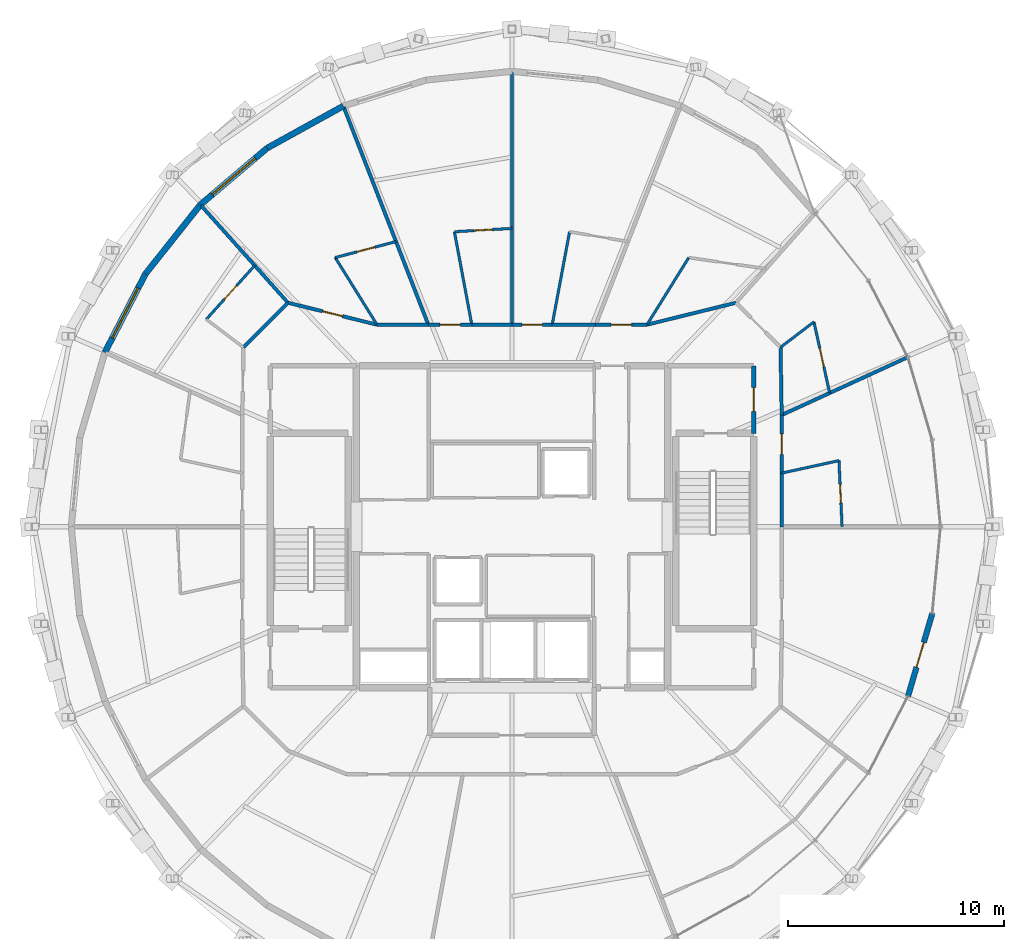
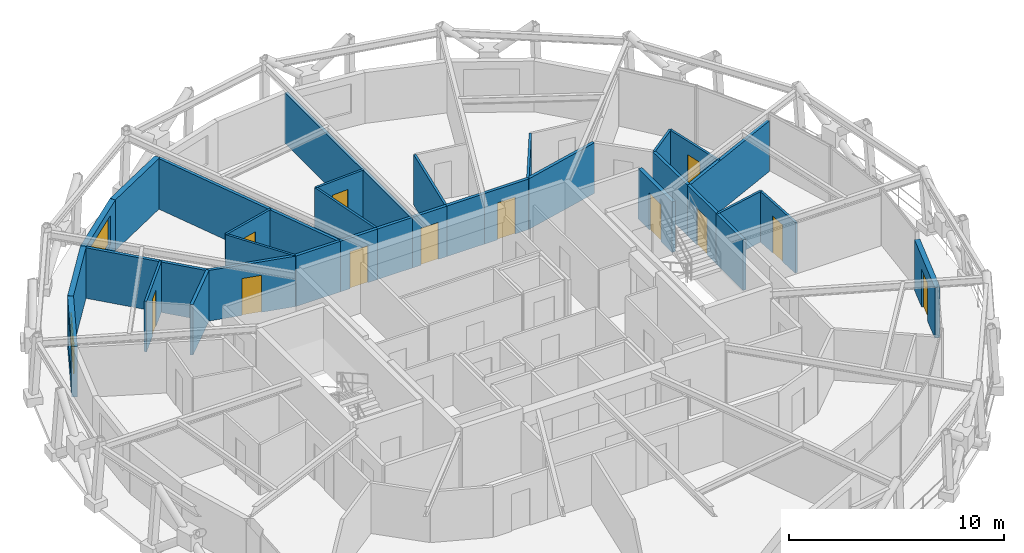
# One storey, part 13 of 15: 33 walls, 12 doors, 2 windows, 14 openings.
"""IFC4 building model written with IfcOpenShell, lengths in metres."""

from ifc_helpers import new_model, si_unit, direction, frame, frame_2d, origin, place, context, subcontext, project, spatial, rectangle, extrude, material, layer, layer_set, type_object, element, fill, save


model = new_model("IFC4")

# Units and contexts
model_context = context("Model", 3, precision=1e-05, world=origin(), true_north=direction((0.0, 1.0)))
body_context = subcontext(model_context, "Body", "Model", "MODEL_VIEW")
ifc_project = project(units=[si_unit("LENGTHUNIT", "METRE"), si_unit("AREAUNIT", "SQUARE_METRE"), si_unit("VOLUMEUNIT", "CUBIC_METRE"), si_unit("PLANEANGLEUNIT", "RADIAN"), si_unit("MASSUNIT", "GRAM", prefix="KILO")], contexts=[model_context])

# Site, building, storey
site_placement = place(None, origin())
site = spatial("IfcSite", under=ifc_project, at=site_placement, CompositionType="ELEMENT")
building_placement = place(site_placement, origin())
building = spatial("IfcBuilding", under=site, at=building_placement, Name="Veldorina Hangang Commons", CompositionType="ELEMENT")
storey_placement = place(building_placement, frame((0.0, 0.0, 258.0)))
storey = spatial("IfcBuildingStorey", under=building, at=storey_placement, Name="L67", CompositionType="ELEMENT", Elevation=258.0)

# Wall, opening, door
ifc_material_1 = material(Name="Stone Roman Travertine", Category="masonry")
ifc_layer_1 = layer(ifc_material_1, 0.260009765625)
ifc_layer_set_1 = layer_set([ifc_layer_1], Name="Stone Roman Travertine")
wall_type_1 = type_object("IfcWallType", Name="EW-LOGGIA-260", PredefinedType="STANDARD", material=ifc_layer_set_1)
wall_1_placement = place(storey_placement, frame((50.322998046875, 16.14990234375, 0.0), z_axis=(0.0, 0.0, 1.0), x_axis=(0.281444418765, 0.959577531597, 0.0)))
wall_1 = element("IfcWall", 1, at=wall_1_placement, inside=storey, type_object=wall_type_1, Name="L67 sky-garden loggia portal wall 30", PredefinedType="STANDARD", context=body_context, shape_type="SweptSolid", body=[
    extrude(rectangle(XDim=4.01025390625, YDim=0.260009765625, at=frame_2d((2.005126953125, 0.0))), origin(), (0.0, 0.0, 1.0), 2.8798828125),
])
opening_1_placement = place(wall_1_placement, frame((1.405029296875, 0.0, 0.0)))
opening_1 = element("IfcOpeningElement", 2, at=opening_1_placement, cuts=wall_1, Name="Opening BD-1200", PredefinedType="OPENING", context=body_context, shape_type="SweptSolid", body=[
    extrude(rectangle(XDim=1.199951171875, YDim=2.14990234375, at=frame_2d((0.60009765625, 1.074951171875))), frame((0.0, 0.14013671875, 0.0), z_axis=(0.0, -1.0, 0.0), x_axis=(1.0, 0.0, 0.0)), (0.0, 0.0, 1.0), 0.280029296875),
])
ifc_material_2 = material(Name="Glass Thermal Aluminium Frame", Category="aluminium")
door_type_1 = type_object("IfcDoorType", Name="DR-EXT-LOG1200", OperationType="SINGLE_SWING_LEFT", PredefinedType="DOOR", material=ifc_material_2)
door_1_placement = place(opening_1_placement, origin())
door_1 = element("IfcDoor", 3, at=door_1_placement, inside=storey, type_object=door_type_1, Name="L67 loggia glazed exterior door 30", OperationType="SINGLE_SWING_LEFT", OverallHeight=2.14990234375, OverallWidth=1.199951171875, PredefinedType="DOOR", context=body_context, shape_type="SweptSolid", body=[
    extrude(rectangle(XDim=1.199951171875, YDim=2.14990234375, at=frame_2d((0.60009765625, 1.074951171875))), frame((0.0, 0.02490234375, 0.0), z_axis=(0.0, -1.0, 0.0), x_axis=(1.0, 0.0, 0.0)), (0.0, 0.0, 1.0), 0.050048828125),
])
fill(opening_1, door_1)

# Wall
ifc_layer_2 = layer(ifc_material_1, 0.280029296875)
ifc_layer_set_2 = layer_set([ifc_layer_2], Name="Stone Roman Travertine")
wall_type_2 = type_object("IfcWallType", Name="EW-TRAV-280", PredefinedType="STANDARD", material=ifc_layer_set_2)
wall_2_placement = place(storey_placement, frame((24.196044921875, 43.46923828125, 0.0), z_axis=(0.0, 0.0, 1.0), x_axis=(-0.875332682679, -0.483521141869, 0.0)))
element("IfcWall", 4, at=wall_2_placement, inside=storey, type_object=wall_type_2, Name="L67 travertine facade wall 10", PredefinedType="STANDARD", context=body_context, shape_type="SweptSolid", body=[
    extrude(rectangle(XDim=4.02783203125, YDim=0.280029296875, at=frame_2d((2.013916015625, 0.0))), origin(), (0.0, 0.0, 1.0), 2.8798828125),
])

# Wall, opening, window
wall_3_placement = place(storey_placement, frame((20.67041015625, 41.521728515625, 0.0), z_axis=(0.0, 0.0, 1.0), x_axis=(-0.762691056528, -0.646762979995, 0.0)))
wall_3 = element("IfcWall", 5, at=wall_3_placement, inside=storey, type_object=wall_type_2, Name="L67 travertine facade wall 11", PredefinedType="STANDARD", context=body_context, shape_type="SweptSolid", body=[
    extrude(rectangle(XDim=4.0517578125, YDim=0.280029296875, at=frame_2d((2.02587890625, 0.0))), origin(), (0.0, 0.0, 1.0), 2.8798828125),
])
opening_2_placement = place(wall_3_placement, frame((0.72607421875, 0.0, 0.800048828125)))
opening_2 = element("IfcOpeningElement", 6, at=opening_2_placement, cuts=wall_3, Name="Opening W-02", PredefinedType="OPENING", context=body_context, shape_type="SweptSolid", body=[
    extrude(rectangle(XDim=2.60009765625, YDim=1.64990234375, at=frame_2d((1.300048828125, 0.824951171875))), frame((0.0, 0.14990234375, 0.0), z_axis=(0.0, -1.0, 0.0), x_axis=(1.0, 0.0, 0.0)), (0.0, 0.0, 1.0), 0.300048828125),
])
ifc_material_3 = material(Name="Glass Low-E Triple IGU", Category="glass")
window_type = type_object("IfcWindowType", Name="WIN-TWR-2600", PartitioningType="SINGLE_PANEL", PredefinedType="WINDOW", material=ifc_material_3)
window_1_placement = place(opening_2_placement, origin())
window_1 = element("IfcWindow", 7, at=window_1_placement, inside=storey, type_object=window_type, Name="L67 facade window 11", OverallHeight=1.64990234375, OverallWidth=2.60009765625, PartitioningType="SINGLE_PANEL", PredefinedType="WINDOW", context=body_context, shape_type="SweptSolid", body=[
    extrude(rectangle(XDim=2.60009765625, YDim=1.64990234375, at=frame_2d((1.300048828125, 0.824951171875))), frame((0.0, 0.030029296875, 0.0), z_axis=(0.0, -1.0, 0.0), x_axis=(1.0, 0.0, 0.0)), (0.0, 0.0, 1.0), 0.06005859375),
])
fill(opening_2, window_1)

# Wall
wall_4_placement = place(storey_placement, frame((17.580078125, 38.901123046875, 0.0), z_axis=(0.0, 0.0, 1.0), x_axis=(-0.621916698547, -0.783083405563, 0.0)))
element("IfcWall", 8, at=wall_4_placement, inside=storey, type_object=wall_type_2, Name="L67 travertine facade wall 12", PredefinedType="STANDARD", context=body_context, shape_type="SweptSolid", body=[
    extrude(rectangle(XDim=4.077880859375, YDim=0.280029296875, at=frame_2d((2.0390625, 0.0))), origin(), (0.0, 0.0, 1.0), 2.8798828125),
])

# Wall, opening, window
wall_5_placement = place(storey_placement, frame((15.0439453125, 35.707763671875, 0.0), z_axis=(0.0, 0.0, 1.0), x_axis=(-0.459432634071, -0.888212617987, 0.0)))
wall_5 = element("IfcWall", 9, at=wall_5_placement, inside=storey, type_object=wall_type_2, Name="L67 travertine facade wall 13", PredefinedType="STANDARD", context=body_context, shape_type="SweptSolid", body=[
    extrude(rectangle(XDim=4.101806640625, YDim=0.280029296875, at=frame_2d((2.05078125, 0.0))), origin(), (0.0, 0.0, 1.0), 2.8798828125),
])
opening_3_placement = place(wall_5_placement, frame((0.7509765625, 0.0, 0.800048828125)))
opening_3 = element("IfcOpeningElement", 10, at=opening_3_placement, cuts=wall_5, Name="Opening W-02", PredefinedType="OPENING", context=body_context, shape_type="SweptSolid", body=[
    extrude(rectangle(XDim=2.60009765625, YDim=1.64990234375, at=frame_2d((1.300048828125, 0.824951171875))), frame((0.0, 0.14990234375, 0.0), z_axis=(0.0, -1.0, 0.0), x_axis=(1.0, 0.0, 0.0)), (0.0, 0.0, 1.0), 0.300048828125),
])
window_2_placement = place(opening_3_placement, origin())
window_2 = element("IfcWindow", 11, at=window_2_placement, inside=storey, type_object=window_type, Name="L67 facade window 13", OverallHeight=1.64990234375, OverallWidth=2.60009765625, PartitioningType="SINGLE_PANEL", PredefinedType="WINDOW", context=body_context, shape_type="SweptSolid", body=[
    extrude(rectangle(XDim=2.60009765625, YDim=1.64990234375, at=frame_2d((1.300048828125, 0.824951171875))), frame((0.0, 0.030029296875, 0.0), z_axis=(0.0, -1.0, 0.0), x_axis=(1.0, 0.0, 0.0)), (0.0, 0.0, 1.0), 0.06005859375),
])
fill(opening_3, window_2)

# Wall
ifc_material_4 = material(Name="Gypsum Fire-Rated Twin Stud Wall", Category="gypsum")
ifc_layer_3 = layer(ifc_material_4, 0.159912109375)
ifc_layer_set_3 = layer_set([ifc_layer_3], Name="Gypsum Fire-Rated Twin Stud Wall")
wall_type_3 = type_object("IfcWallType", Name="WL-FIRE-160", PredefinedType="SOLIDWALL", material=ifc_layer_set_3)
wall_6_placement = place(storey_placement, frame((44.47998046875, 24.0, 0.0), z_axis=(0.0, 0.0, 1.0), x_axis=(0.0, 1.0, 0.0)))
element("IfcWall", 12, at=wall_6_placement, inside=storey, type_object=wall_type_3, Name="L67 Compact collar outer wall 00 050", PredefinedType="SOLIDWALL", context=body_context, shape_type="SweptSolid", body=[
    extrude(rectangle(XDim=2.482421875, YDim=0.159912109375, at=frame_2d((1.2412109375, 0.0))), origin(), (0.0, 0.0, 1.0), 2.8701171875),
])

# Wall, opening, door
wall_7_placement = place(storey_placement, frame((44.47998046875, 26.482421875, 0.0), z_axis=(0.0, 0.0, 1.0), x_axis=(0.0, 1.0, 0.0)))
wall_7 = element("IfcWall", 13, at=wall_7_placement, inside=storey, type_object=wall_type_3, Name="L67 Compact collar outer wall 01 051", PredefinedType="SOLIDWALL", context=body_context, shape_type="SweptSolid", body=[
    extrude(rectangle(XDim=2.68701171875, YDim=0.159912109375, at=frame_2d((1.343505859375, 0.0))), origin(), (0.0, 0.0, 1.0), 2.8701171875),
])
opening_4_placement = place(wall_7_placement, frame((0.868408203125, 0.0, 0.0)))
opening_4 = element("IfcOpeningElement", 14, at=opening_4_placement, cuts=wall_7, Name="Opening D-03", PredefinedType="OPENING", context=body_context, shape_type="SweptSolid", body=[
    extrude(rectangle(XDim=0.949951171875, YDim=2.10009765625, at=frame_2d((0.47509765625, 1.050048828125))), frame((0.0, 0.08984375, 0.0), z_axis=(0.0, -1.0, 0.0), x_axis=(1.0, 0.0, 0.0)), (0.0, 0.0, 1.0), 0.179931640625),
])
ifc_material_5 = material(Name="Timber Fire-Rated Entrance Core", Category="wood")
door_type_2 = type_object("IfcDoorType", Name="DR-UNIT-950", OperationType="SINGLE_SWING_RIGHT", PredefinedType="DOOR", material=ifc_material_5)
door_2_placement = place(opening_4_placement, origin())
door_2 = element("IfcDoor", 15, at=door_2_placement, inside=storey, type_object=door_type_2, Name="L67 Studio 2 entrance door 020", OperationType="SINGLE_SWING_RIGHT", OverallHeight=2.10009765625, OverallWidth=0.949951171875, PredefinedType="DOOR", context=body_context, shape_type="SweptSolid", body=[
    extrude(rectangle(XDim=0.949951171875, YDim=2.10009765625, at=frame_2d((0.47509765625, 1.050048828125))), frame((0.0, 0.02490234375, 0.0), z_axis=(0.0, -1.0, 0.0), x_axis=(1.0, 0.0, 0.0)), (0.0, 0.0, 1.0), 0.050048828125),
])
fill(opening_4, door_2)

# Walls
wall_8_placement = place(storey_placement, frame((44.47998046875, 29.16943359375, 0.0), z_axis=(0.0, 0.0, 1.0), x_axis=(-0.016981035134, 0.999855811828, 0.0)))
element("IfcWall", 16, at=wall_8_placement, inside=storey, type_object=wall_type_3, Name="L67 Compact collar outer wall 02 052", PredefinedType="SOLIDWALL", context=body_context, shape_type="SweptSolid", body=[
    extrude(rectangle(XDim=3.13427734375, YDim=0.159912109375, at=frame_2d((1.567138671875, 0.0))), origin(), (0.0, 0.0, 1.0), 2.8701171875),
])
wall_9_placement = place(storey_placement, frame((42.364990234375, 34.364990234375, 0.0), z_axis=(0.0, 0.0, 1.0), x_axis=(-0.970939799552, -0.239323850978, 0.0)))
element("IfcWall", 17, at=wall_9_placement, inside=storey, type_object=wall_type_3, Name="L67 Compact collar outer wall 04 054", PredefinedType="SOLIDWALL", context=body_context, shape_type="SweptSolid", body=[
    extrude(rectangle(XDim=4.24072265625, YDim=0.159912109375, at=frame_2d((2.120361328125, 0.0))), origin(), (0.0, 0.0, 1.0), 2.8701171875),
])

# Wall, opening, door
wall_10_placement = place(storey_placement, frame((38.24755859375, 33.35009765625, 0.0), z_axis=(0.0, 0.0, 1.0), x_axis=(-1.0, 0.0, 0.0)))
wall_10 = element("IfcWall", 18, at=wall_10_placement, inside=storey, type_object=wall_type_3, Name="L67 Compact collar outer wall 05 055", PredefinedType="SOLIDWALL", context=body_context, shape_type="SweptSolid", body=[
    extrude(rectangle(XDim=2.374755859375, YDim=0.159912109375, at=frame_2d((1.1875, 0.0))), origin(), (0.0, 0.0, 1.0), 2.8701171875),
])
opening_5_placement = place(wall_10_placement, frame((0.71240234375, 0.0, 0.0)))
opening_5 = element("IfcOpeningElement", 19, at=opening_5_placement, cuts=wall_10, Name="Opening D-03", PredefinedType="OPENING", context=body_context, shape_type="SweptSolid", body=[
    extrude(rectangle(XDim=0.949951171875, YDim=2.10009765625, at=frame_2d((0.47509765625, 1.050048828125))), frame((0.0, 0.08984375, 0.0), z_axis=(0.0, -1.0, 0.0), x_axis=(1.0, 0.0, 0.0)), (0.0, 0.0, 1.0), 0.179931640625),
])
door_3_placement = place(opening_5_placement, origin())
door_3 = element("IfcDoor", 20, at=door_3_placement, inside=storey, type_object=door_type_2, Name="L67 Studio 4 entrance door 024", OperationType="SINGLE_SWING_RIGHT", OverallHeight=2.10009765625, OverallWidth=0.949951171875, PredefinedType="DOOR", context=body_context, shape_type="SweptSolid", body=[
    extrude(rectangle(XDim=0.949951171875, YDim=2.10009765625, at=frame_2d((0.47509765625, 1.050048828125))), frame((0.0, 0.02490234375, 0.0), z_axis=(0.0, -1.0, 0.0), x_axis=(1.0, 0.0, 0.0)), (0.0, 0.0, 1.0), 0.050048828125),
])
fill(opening_5, door_3)

# Wall
wall_11_placement = place(storey_placement, frame((35.872802734375, 33.35009765625, 0.0), z_axis=(0.0, 0.0, 1.0), x_axis=(-1.0, 0.0, 0.0)))
element("IfcWall", 21, at=wall_11_placement, inside=storey, type_object=wall_type_3, Name="L67 Compact collar outer wall 06 056", PredefinedType="SOLIDWALL", context=body_context, shape_type="SweptSolid", body=[
    extrude(rectangle(XDim=2.012939453125, YDim=0.159912109375, at=frame_2d((1.00634765625, 0.0))), origin(), (0.0, 0.0, 1.0), 2.8701171875),
])

# Wall, opening, door
wall_12_placement = place(storey_placement, frame((33.85986328125, 33.35009765625, 0.0), z_axis=(0.0, 0.0, 1.0), x_axis=(-1.0, 0.0, 0.0)))
wall_12 = element("IfcWall", 22, at=wall_12_placement, inside=storey, type_object=wall_type_3, Name="L67 Compact collar outer wall 07 057", PredefinedType="SOLIDWALL", context=body_context, shape_type="SweptSolid", body=[
    extrude(rectangle(XDim=1.85986328125, YDim=0.159912109375, at=frame_2d((0.929931640625, 0.0))), origin(), (0.0, 0.0, 1.0), 2.8701171875),
])
opening_6_placement = place(wall_12_placement, frame((0.454833984375, 0.0, 0.0)))
opening_6 = element("IfcOpeningElement", 23, at=opening_6_placement, cuts=wall_12, Name="Opening D-03", PredefinedType="OPENING", context=body_context, shape_type="SweptSolid", body=[
    extrude(rectangle(XDim=0.949951171875, YDim=2.10009765625, at=frame_2d((0.47509765625, 1.050048828125))), frame((0.0, 0.08984375, 0.0), z_axis=(0.0, -1.0, 0.0), x_axis=(1.0, 0.0, 0.0)), (0.0, 0.0, 1.0), 0.179931640625),
])
door_4_placement = place(opening_6_placement, origin())
door_4 = element("IfcDoor", 24, at=door_4_placement, inside=storey, type_object=door_type_2, Name="L67 Studio 5 entrance door 026", OperationType="SINGLE_SWING_RIGHT", OverallHeight=2.10009765625, OverallWidth=0.949951171875, PredefinedType="DOOR", context=body_context, shape_type="SweptSolid", body=[
    extrude(rectangle(XDim=0.949951171875, YDim=2.10009765625, at=frame_2d((0.47509765625, 1.050048828125))), frame((0.0, 0.02490234375, 0.0), z_axis=(0.0, -1.0, 0.0), x_axis=(1.0, 0.0, 0.0)), (0.0, 0.0, 1.0), 0.050048828125),
])
fill(opening_6, door_4)

# Wall
wall_13_placement = place(storey_placement, frame((32.0, 33.35009765625, 0.0), z_axis=(0.0, 0.0, 1.0), x_axis=(-1.0, 0.0, 0.0)))
element("IfcWall", 25, at=wall_13_placement, inside=storey, type_object=wall_type_3, Name="L67 Compact collar outer wall 08 058", PredefinedType="SOLIDWALL", context=body_context, shape_type="SweptSolid", body=[
    extrude(rectangle(XDim=1.85986328125, YDim=0.159912109375, at=frame_2d((0.929931640625, 0.0))), origin(), (0.0, 0.0, 1.0), 2.8701171875),
])

# Wall, opening, door
wall_14_placement = place(storey_placement, frame((30.14013671875, 33.35009765625, 0.0), z_axis=(0.0, 0.0, 1.0), x_axis=(-1.0, 0.0, 0.0)))
wall_14 = element("IfcWall", 26, at=wall_14_placement, inside=storey, type_object=wall_type_3, Name="L67 Compact collar outer wall 09 059", PredefinedType="SOLIDWALL", context=body_context, shape_type="SweptSolid", body=[
    extrude(rectangle(XDim=2.012939453125, YDim=0.159912109375, at=frame_2d((1.00634765625, 0.0))), origin(), (0.0, 0.0, 1.0), 2.8701171875),
])
opening_7_placement = place(wall_14_placement, frame((0.531494140625, 0.0, 0.0)))
opening_7 = element("IfcOpeningElement", 27, at=opening_7_placement, cuts=wall_14, Name="Opening D-03", PredefinedType="OPENING", context=body_context, shape_type="SweptSolid", body=[
    extrude(rectangle(XDim=0.949951171875, YDim=2.10009765625, at=frame_2d((0.47509765625, 1.050048828125))), frame((0.0, 0.08984375, 0.0), z_axis=(0.0, -1.0, 0.0), x_axis=(1.0, 0.0, 0.0)), (0.0, 0.0, 1.0), 0.179931640625),
])
door_5_placement = place(opening_7_placement, origin())
door_5 = element("IfcDoor", 28, at=door_5_placement, inside=storey, type_object=door_type_2, Name="L67 Studio 6 entrance door 028", OperationType="SINGLE_SWING_RIGHT", OverallHeight=2.10009765625, OverallWidth=0.949951171875, PredefinedType="DOOR", context=body_context, shape_type="SweptSolid", body=[
    extrude(rectangle(XDim=0.949951171875, YDim=2.10009765625, at=frame_2d((0.47509765625, 1.050048828125))), frame((0.0, 0.02490234375, 0.0), z_axis=(0.0, -1.0, 0.0), x_axis=(1.0, 0.0, 0.0)), (0.0, 0.0, 1.0), 0.050048828125),
])
fill(opening_7, door_5)

# Wall
wall_15_placement = place(storey_placement, frame((28.127197265625, 33.35009765625, 0.0), z_axis=(0.0, 0.0, 1.0), x_axis=(-1.0, 0.0, 0.0)))
element("IfcWall", 29, at=wall_15_placement, inside=storey, type_object=wall_type_3, Name="L67 Compact collar outer wall 10 060", PredefinedType="SOLIDWALL", context=body_context, shape_type="SweptSolid", body=[
    extrude(rectangle(XDim=2.374755859375, YDim=0.159912109375, at=frame_2d((1.1875, 0.0))), origin(), (0.0, 0.0, 1.0), 2.8701171875),
])

# Wall, opening, door
wall_16_placement = place(storey_placement, frame((25.75244140625, 33.35009765625, 0.0), z_axis=(0.0, 0.0, 1.0), x_axis=(-0.970939799552, 0.239323850978, 0.0)))
wall_16 = element("IfcWall", 30, at=wall_16_placement, inside=storey, type_object=wall_type_3, Name="L67 Compact collar outer wall 11 061", PredefinedType="SOLIDWALL", context=body_context, shape_type="SweptSolid", body=[
    extrude(rectangle(XDim=4.24072265625, YDim=0.159912109375, at=frame_2d((2.120361328125, 0.0))), origin(), (0.0, 0.0, 1.0), 2.8701171875),
])
opening_8_placement = place(wall_16_placement, frame((1.6455078125, 0.0, 0.0)))
opening_8 = element("IfcOpeningElement", 31, at=opening_8_placement, cuts=wall_16, Name="Opening D-03", PredefinedType="OPENING", context=body_context, shape_type="SweptSolid", body=[
    extrude(rectangle(XDim=0.949951171875, YDim=2.10009765625, at=frame_2d((0.47509765625, 1.050048828125))), frame((0.0, 0.08984375, 0.0), z_axis=(0.0, -1.0, 0.0), x_axis=(1.0, 0.0, 0.0)), (0.0, 0.0, 1.0), 0.179931640625),
])
door_6_placement = place(opening_8_placement, origin())
door_6 = element("IfcDoor", 32, at=door_6_placement, inside=storey, type_object=door_type_2, Name="L67 Studio 7 entrance door 030", OperationType="SINGLE_SWING_RIGHT", OverallHeight=2.10009765625, OverallWidth=0.949951171875, PredefinedType="DOOR", context=body_context, shape_type="SweptSolid", body=[
    extrude(rectangle(XDim=0.949951171875, YDim=2.10009765625, at=frame_2d((0.47509765625, 1.050048828125))), frame((0.0, 0.02490234375, 0.0), z_axis=(0.0, -1.0, 0.0), x_axis=(1.0, 0.0, 0.0)), (0.0, 0.0, 1.0), 0.050048828125),
])
fill(opening_8, door_6)

# Walls
wall_17_placement = place(storey_placement, frame((21.635009765625, 34.364990234375, 0.0), z_axis=(0.0, 0.0, 1.0), x_axis=(-0.707106781187, -0.707106781187, 0.0)))
element("IfcWall", 33, at=wall_17_placement, inside=storey, type_object=wall_type_3, Name="L67 Compact collar outer wall 12 062", PredefinedType="SOLIDWALL", context=body_context, shape_type="SweptSolid", body=[
    extrude(rectangle(XDim=2.915771484375, YDim=0.159912109375, at=frame_2d((1.4580078125, 0.0))), origin(), (0.0, 0.0, 1.0), 2.8701171875),
])
wall_18_placement = place(storey_placement, frame((44.47998046875, 29.16943359375, 0.0), z_axis=(0.0, 0.0, 1.0), x_axis=(0.908905892695, 0.417001292833, 0.0)))
element("IfcWall", 34, at=wall_18_placement, inside=storey, type_object=wall_type_3, Name="L67 Unit party wall 02 086", PredefinedType="SOLIDWALL", context=body_context, shape_type="SweptSolid", body=[
    extrude(rectangle(XDim=6.378662109375, YDim=0.159912109375, at=frame_2d((3.189453125, 0.0))), origin(), (0.0, 0.0, 1.0), 2.8701171875),
])
wall_19_placement = place(storey_placement, frame((32.0, 33.35009765625, 0.0), z_axis=(0.0, 0.0, 1.0), x_axis=(0.0, 1.0, 0.0)))
element("IfcWall", 35, at=wall_19_placement, inside=storey, type_object=wall_type_3, Name="L67 Unit party wall 08 095", PredefinedType="SOLIDWALL", context=body_context, shape_type="SweptSolid", body=[
    extrude(rectangle(XDim=11.673095703125, YDim=0.159912109375, at=frame_2d((5.83642578125, 0.0))), origin(), (0.0, 0.0, 1.0), 2.8701171875),
])
wall_20_placement = place(storey_placement, frame((28.127197265625, 33.35009765625, 0.0), z_axis=(0.0, 0.0, 1.0), x_axis=(-0.362124603768, 0.932129696634, 0.0)))
element("IfcWall", 36, at=wall_20_placement, inside=storey, type_object=wall_type_3, Name="L67 Unit party wall 10 098", PredefinedType="SOLIDWALL", context=body_context, shape_type="SweptSolid", body=[
    extrude(rectangle(XDim=10.805908203125, YDim=0.159912109375, at=frame_2d((5.40283203125, 0.0))), origin(), (0.0, 0.0, 1.0), 2.8701171875),
])
wall_21_placement = place(storey_placement, frame((21.635009765625, 34.364990234375, 0.0), z_axis=(0.0, 0.0, 1.0), x_axis=(-0.666473121036, 0.745529059754, 0.0)))
element("IfcWall", 37, at=wall_21_placement, inside=storey, type_object=wall_type_3, Name="L67 Unit party wall 12 101", PredefinedType="SOLIDWALL", context=body_context, shape_type="SweptSolid", body=[
    extrude(rectangle(XDim=6.034423828125, YDim=0.159912109375, at=frame_2d((3.01708984375, 0.0))), origin(), (0.0, 0.0, 1.0), 2.8701171875),
])

# Wall, opening, door
ifc_material_6 = material(Name="Concrete Blockwork Fire Wall C30/37", Category="masonry")
ifc_layer_4 = layer(ifc_material_6, 0.199951171875)
ifc_layer_set_4 = layer_set([ifc_layer_4], Name="Concrete Blockwork Fire Wall C30/37")
wall_type_4 = type_object("IfcWallType", Name="WL-FIRE-200", PredefinedType="SOLIDWALL", material=ifc_layer_set_4)
wall_22_placement = place(storey_placement, frame((43.179931640625, 28.320068359375, 0.0), z_axis=(0.0, 0.0, 1.0), x_axis=(0.0, 1.0, 0.0)))
wall_22 = element("IfcWall", 38, at=wall_22_placement, inside=storey, type_object=wall_type_4, Name="L67 East vestibule outer wall 003", PredefinedType="SOLIDWALL", context=body_context, shape_type="SweptSolid", body=[
    extrude(rectangle(XDim=3.1298828125, YDim=0.199951171875, at=frame_2d((1.56494140625, 0.0))), origin(), (0.0, 0.0, 1.0), 2.8701171875),
])
opening_9_placement = place(wall_22_placement, frame((1.014892578125, 0.0, 0.0)))
opening_9 = element("IfcOpeningElement", 39, at=opening_9_placement, cuts=wall_22, Name="Opening D-08", PredefinedType="OPENING", context=body_context, shape_type="SweptSolid", body=[
    extrude(rectangle(XDim=1.10009765625, YDim=2.10009765625, at=frame_2d((0.550048828125, 1.050048828125))), frame((0.0, 0.10986328125, 0.0), z_axis=(0.0, -1.0, 0.0), x_axis=(1.0, 0.0, 0.0)), (0.0, 0.0, 1.0), 0.219970703125),
])
ifc_material_7 = material(Name="Steel Fire-Rated Smoke Seal", Category="steel")
door_type_3 = type_object("IfcDoorType", Name="DR-FIRE-1100", OperationType="SINGLE_SWING_RIGHT", PredefinedType="DOOR", material=ifc_material_7)
door_7_placement = place(opening_9_placement, origin())
door_7 = element("IfcDoor", 40, at=door_7_placement, inside=storey, type_object=door_type_3, Name="L67 East vestibule east door 002", OperationType="SINGLE_SWING_RIGHT", OverallHeight=2.10009765625, OverallWidth=1.10009765625, PredefinedType="DOOR", context=body_context, shape_type="SweptSolid", body=[
    extrude(rectangle(XDim=1.10009765625, YDim=2.10009765625, at=frame_2d((0.550048828125, 1.050048828125))), frame((0.0, 0.02490234375, 0.0), z_axis=(0.0, -1.0, 0.0), x_axis=(1.0, 0.0, 0.0)), (0.0, 0.0, 1.0), 0.050048828125),
])
fill(opening_9, door_7)

ifc_material_8 = material(Name="Gypsum Acoustic Stud Partition", Category="gypsum")
ifc_layer_5 = layer(ifc_material_8, 0.1201171875)
ifc_layer_set_5 = layer_set([ifc_layer_5], Name="Gypsum Acoustic Stud Partition")
wall_type_5 = type_object("IfcWallType", Name="WL-PART-120", PredefinedType="PARTITIONING", material=ifc_layer_set_5)
wall_23_placement = place(storey_placement, frame((47.274169921875, 24.0, 0.0), z_axis=(0.0, 0.0, 1.0), x_axis=(-0.047341736084, 0.998878751413, 0.0)))
wall_23 = element("IfcWall", 41, at=wall_23_placement, inside=storey, type_object=wall_type_5, Name="L67 Studio 2 bath front wall 084", PredefinedType="PARTITIONING", context=body_context, shape_type="SweptSolid", body=[
    extrude(rectangle(XDim=3.063232421875, YDim=0.1201171875, at=frame_2d((1.53173828125, 0.0))), origin(), (0.0, 0.0, 1.0), 2.8701171875),
])
opening_10_placement = place(wall_23_placement, frame((1.1015625, 0.0, 0.0)))
opening_10 = element("IfcOpeningElement", 42, at=opening_10_placement, cuts=wall_23, Name="Opening D-01", PredefinedType="OPENING", context=body_context, shape_type="SweptSolid", body=[
    extrude(rectangle(XDim=0.860107421875, YDim=2.10009765625, at=frame_2d((0.43017578125, 1.050048828125))), frame((0.0, 0.070068359375, 0.0), z_axis=(0.0, -1.0, 0.0), x_axis=(1.0, 0.0, 0.0)), (0.0, 0.0, 1.0), 0.14013671875),
])
ifc_material_9 = material(Name="Timber Moisture-Resistant Core", Category="wood")
door_type_4 = type_object("IfcDoorType", Name="DR-WET-860", OperationType="SINGLE_SWING_LEFT", PredefinedType="DOOR", material=ifc_material_9)
door_8_placement = place(opening_10_placement, origin())
door_8 = element("IfcDoor", 43, at=door_8_placement, inside=storey, type_object=door_type_4, Name="L67 Studio 2 bathroom door 019", OperationType="SINGLE_SWING_LEFT", OverallHeight=2.10009765625, OverallWidth=0.860107421875, PredefinedType="DOOR", context=body_context, shape_type="SweptSolid", body=[
    extrude(rectangle(XDim=0.860107421875, YDim=2.10009765625, at=frame_2d((0.43017578125, 1.050048828125))), frame((0.0, 0.02490234375, 0.0), z_axis=(0.0, -1.0, 0.0), x_axis=(1.0, 0.0, 0.0)), (0.0, 0.0, 1.0), 0.050048828125),
])
fill(opening_10, door_8)

# Wall
wall_24_placement = place(storey_placement, frame((44.47998046875, 26.482421875, 0.0), z_axis=(0.0, 0.0, 1.0), x_axis=(0.977062450347, 0.212952971622, 0.0)))
element("IfcWall", 44, at=wall_24_placement, inside=storey, type_object=wall_type_5, Name="L67 Studio 2 bath side wall 085", PredefinedType="PARTITIONING", context=body_context, shape_type="SweptSolid", body=[
    extrude(rectangle(XDim=2.71142578125, YDim=0.1201171875, at=frame_2d((1.355712890625, 0.0))), origin(), (0.0, 0.0, 1.0), 2.8701171875),
])

# Wall, opening, door
wall_25_placement = place(storey_placement, frame((46.700439453125, 30.18798828125, 0.0), z_axis=(0.0, 0.0, 1.0), x_axis=(-0.21642426277, 0.976299410265, 0.0)))
wall_25 = element("IfcWall", 45, at=wall_25_placement, inside=storey, type_object=wall_type_5, Name="L67 Studio 3 bath front wall 087", PredefinedType="PARTITIONING", context=body_context, shape_type="SweptSolid", body=[
    extrude(rectangle(XDim=3.37060546875, YDim=0.1201171875, at=frame_2d((1.685302734375, 0.0))), origin(), (0.0, 0.0, 1.0), 2.8701171875),
])
opening_11_placement = place(wall_25_placement, frame((1.25537109375, 0.0, 0.0)))
opening_11 = element("IfcOpeningElement", 46, at=opening_11_placement, cuts=wall_25, Name="Opening D-01", PredefinedType="OPENING", context=body_context, shape_type="SweptSolid", body=[
    extrude(rectangle(XDim=0.860107421875, YDim=2.10009765625, at=frame_2d((0.43017578125, 1.050048828125))), frame((0.0, 0.070068359375, 0.0), z_axis=(0.0, -1.0, 0.0), x_axis=(1.0, 0.0, 0.0)), (0.0, 0.0, 1.0), 0.14013671875),
])
door_9_placement = place(opening_11_placement, origin())
door_9 = element("IfcDoor", 47, at=door_9_placement, inside=storey, type_object=door_type_4, Name="L67 Studio 3 bathroom door 021", OperationType="SINGLE_SWING_LEFT", OverallHeight=2.10009765625, OverallWidth=0.860107421875, PredefinedType="DOOR", context=body_context, shape_type="SweptSolid", body=[
    extrude(rectangle(XDim=0.860107421875, YDim=2.10009765625, at=frame_2d((0.43017578125, 1.050048828125))), frame((0.0, 0.02490234375, 0.0), z_axis=(0.0, -1.0, 0.0), x_axis=(1.0, 0.0, 0.0)), (0.0, 0.0, 1.0), 0.050048828125),
])
fill(opening_11, door_9)

# Walls
wall_26_placement = place(storey_placement, frame((44.4267578125, 32.30322265625, 0.0), z_axis=(0.0, 0.0, 1.0), x_axis=(0.795677115772, 0.605720998015, 0.0)))
element("IfcWall", 48, at=wall_26_placement, inside=storey, type_object=wall_type_5, Name="L67 Studio 3 bath side wall 088", PredefinedType="PARTITIONING", context=body_context, shape_type="SweptSolid", body=[
    extrude(rectangle(XDim=1.940673828125, YDim=0.1201171875, at=frame_2d((0.97021484375, 0.0))), origin(), (0.0, 0.0, 1.0), 2.8701171875),
])
wall_27_placement = place(storey_placement, frame((38.24755859375, 33.35009765625, 0.0), z_axis=(0.0, 0.0, 1.0), x_axis=(0.528107212433, 0.849177703532, 0.0)))
element("IfcWall", 49, at=wall_27_placement, inside=storey, type_object=wall_type_5, Name="L67 Studio 4 bath side wall 091", PredefinedType="PARTITIONING", context=body_context, shape_type="SweptSolid", body=[
    extrude(rectangle(XDim=3.65673828125, YDim=0.1201171875, at=frame_2d((1.828369140625, 0.0))), origin(), (0.0, 0.0, 1.0), 2.8701171875),
])
wall_28_placement = place(storey_placement, frame((33.85986328125, 33.35009765625, 0.0), z_axis=(0.0, 0.0, 1.0), x_axis=(0.183965108809, 0.982932774273, 0.0)))
element("IfcWall", 50, at=wall_28_placement, inside=storey, type_object=wall_type_5, Name="L67 Studio 5 bath side wall 094", PredefinedType="PARTITIONING", context=body_context, shape_type="SweptSolid", body=[
    extrude(rectangle(XDim=4.37548828125, YDim=0.1201171875, at=frame_2d((2.187744140625, 0.0))), origin(), (0.0, 0.0, 1.0), 2.8701171875),
])

# Wall, opening, door
wall_29_placement = place(storey_placement, frame((32.0, 37.804931640625, 0.0), z_axis=(0.0, 0.0, 1.0), x_axis=(-0.998333158382, -0.057713992024, 0.0)))
wall_29 = element("IfcWall", 51, at=wall_29_placement, inside=storey, type_object=wall_type_5, Name="L67 Studio 6 bath front wall 096", PredefinedType="PARTITIONING", context=body_context, shape_type="SweptSolid", body=[
    extrude(rectangle(XDim=2.669189453125, YDim=0.1201171875, at=frame_2d((1.33447265625, 0.0))), origin(), (0.0, 0.0, 1.0), 2.8701171875),
])
opening_12_placement = place(wall_29_placement, frame((0.904541015625, 0.0, 0.0)))
opening_12 = element("IfcOpeningElement", 52, at=opening_12_placement, cuts=wall_29, Name="Opening D-01", PredefinedType="OPENING", context=body_context, shape_type="SweptSolid", body=[
    extrude(rectangle(XDim=0.860107421875, YDim=2.10009765625, at=frame_2d((0.43017578125, 1.050048828125))), frame((0.0, 0.070068359375, 0.0), z_axis=(0.0, -1.0, 0.0), x_axis=(1.0, 0.0, 0.0)), (0.0, 0.0, 1.0), 0.14013671875),
])
door_10_placement = place(opening_12_placement, origin())
door_10 = element("IfcDoor", 53, at=door_10_placement, inside=storey, type_object=door_type_4, Name="L67 Studio 6 bathroom door 027", OperationType="SINGLE_SWING_LEFT", OverallHeight=2.10009765625, OverallWidth=0.860107421875, PredefinedType="DOOR", context=body_context, shape_type="SweptSolid", body=[
    extrude(rectangle(XDim=0.860107421875, YDim=2.10009765625, at=frame_2d((0.43017578125, 1.050048828125))), frame((0.0, 0.02490234375, 0.0), z_axis=(0.0, -1.0, 0.0), x_axis=(1.0, 0.0, 0.0)), (0.0, 0.0, 1.0), 0.050048828125),
])
fill(opening_12, door_10)

# Wall
wall_30_placement = place(storey_placement, frame((30.14013671875, 33.35009765625, 0.0), z_axis=(0.0, 0.0, 1.0), x_axis=(-0.183965108809, 0.982932774273, 0.0)))
element("IfcWall", 54, at=wall_30_placement, inside=storey, type_object=wall_type_5, Name="L67 Studio 6 bath side wall 097", PredefinedType="PARTITIONING", context=body_context, shape_type="SweptSolid", body=[
    extrude(rectangle(XDim=4.37548828125, YDim=0.1201171875, at=frame_2d((2.187744140625, 0.0))), origin(), (0.0, 0.0, 1.0), 2.8701171875),
])

# Wall, opening, door
wall_31_placement = place(storey_placement, frame((26.63330078125, 37.1953125, 0.0), z_axis=(0.0, 0.0, 1.0), x_axis=(-0.967075624846, -0.254489166427, 0.0)))
wall_31 = element("IfcWall", 55, at=wall_31_placement, inside=storey, type_object=wall_type_5, Name="L67 Studio 7 bath front wall 099", PredefinedType="PARTITIONING", context=body_context, shape_type="SweptSolid", body=[
    extrude(rectangle(XDim=2.90771484375, YDim=0.1201171875, at=frame_2d((1.453857421875, 0.0))), origin(), (0.0, 0.0, 1.0), 2.8701171875),
])
opening_13_placement = place(wall_31_placement, frame((1.02392578125, 0.0, 0.0)))
opening_13 = element("IfcOpeningElement", 56, at=opening_13_placement, cuts=wall_31, Name="Opening D-01", PredefinedType="OPENING", context=body_context, shape_type="SweptSolid", body=[
    extrude(rectangle(XDim=0.860107421875, YDim=2.10009765625, at=frame_2d((0.43017578125, 1.050048828125))), frame((0.0, 0.070068359375, 0.0), z_axis=(0.0, -1.0, 0.0), x_axis=(1.0, 0.0, 0.0)), (0.0, 0.0, 1.0), 0.14013671875),
])
door_11_placement = place(opening_13_placement, origin())
door_11 = element("IfcDoor", 57, at=door_11_placement, inside=storey, type_object=door_type_4, Name="L67 Studio 7 bathroom door 029", OperationType="SINGLE_SWING_LEFT", OverallHeight=2.10009765625, OverallWidth=0.860107421875, PredefinedType="DOOR", context=body_context, shape_type="SweptSolid", body=[
    extrude(rectangle(XDim=0.860107421875, YDim=2.10009765625, at=frame_2d((0.43017578125, 1.050048828125))), frame((0.0, 0.02490234375, 0.0), z_axis=(0.0, -1.0, 0.0), x_axis=(1.0, 0.0, 0.0)), (0.0, 0.0, 1.0), 0.050048828125),
])
fill(opening_13, door_11)

# Wall
wall_32_placement = place(storey_placement, frame((25.75244140625, 33.35009765625, 0.0), z_axis=(0.0, 0.0, 1.0), x_axis=(-0.528107212433, 0.849177703532, 0.0)))
element("IfcWall", 58, at=wall_32_placement, inside=storey, type_object=wall_type_5, Name="L67 Studio 7 bath side wall 100", PredefinedType="PARTITIONING", context=body_context, shape_type="SweptSolid", body=[
    extrude(rectangle(XDim=3.65673828125, YDim=0.1201171875, at=frame_2d((1.828369140625, 0.0))), origin(), (0.0, 0.0, 1.0), 2.8701171875),
])

# Wall, opening, door
wall_33_placement = place(storey_placement, frame((20.093994140625, 36.088623046875, 0.0), z_axis=(0.0, 0.0, 1.0), x_axis=(-0.668827891516, -0.743417279548, 0.0)))
wall_33 = element("IfcWall", 59, at=wall_33_placement, inside=storey, type_object=wall_type_5, Name="L67 Studio 8 bath front wall 102", PredefinedType="PARTITIONING", context=body_context, shape_type="SweptSolid", body=[
    extrude(rectangle(XDim=3.3515625, YDim=0.1201171875, at=frame_2d((1.67578125, 0.0))), origin(), (0.0, 0.0, 1.0), 2.8701171875),
])
opening_14_placement = place(wall_33_placement, frame((1.245849609375, 0.0, 0.0)))
opening_14 = element("IfcOpeningElement", 60, at=opening_14_placement, cuts=wall_33, Name="Opening D-01", PredefinedType="OPENING", context=body_context, shape_type="SweptSolid", body=[
    extrude(rectangle(XDim=0.860107421875, YDim=2.10009765625, at=frame_2d((0.43017578125, 1.050048828125))), frame((0.0, 0.070068359375, 0.0), z_axis=(0.0, -1.0, 0.0), x_axis=(1.0, 0.0, 0.0)), (0.0, 0.0, 1.0), 0.14013671875),
])
door_12_placement = place(opening_14_placement, origin())
door_12 = element("IfcDoor", 61, at=door_12_placement, inside=storey, type_object=door_type_4, Name="L67 Studio 8 bathroom door 031", OperationType="SINGLE_SWING_LEFT", OverallHeight=2.10009765625, OverallWidth=0.860107421875, PredefinedType="DOOR", context=body_context, shape_type="SweptSolid", body=[
    extrude(rectangle(XDim=0.860107421875, YDim=2.10009765625, at=frame_2d((0.43017578125, 1.050048828125))), frame((0.0, 0.02490234375, 0.0), z_axis=(0.0, -1.0, 0.0), x_axis=(1.0, 0.0, 0.0)), (0.0, 0.0, 1.0), 0.050048828125),
])
fill(opening_14, door_12)

save(model, "model.ifc")
